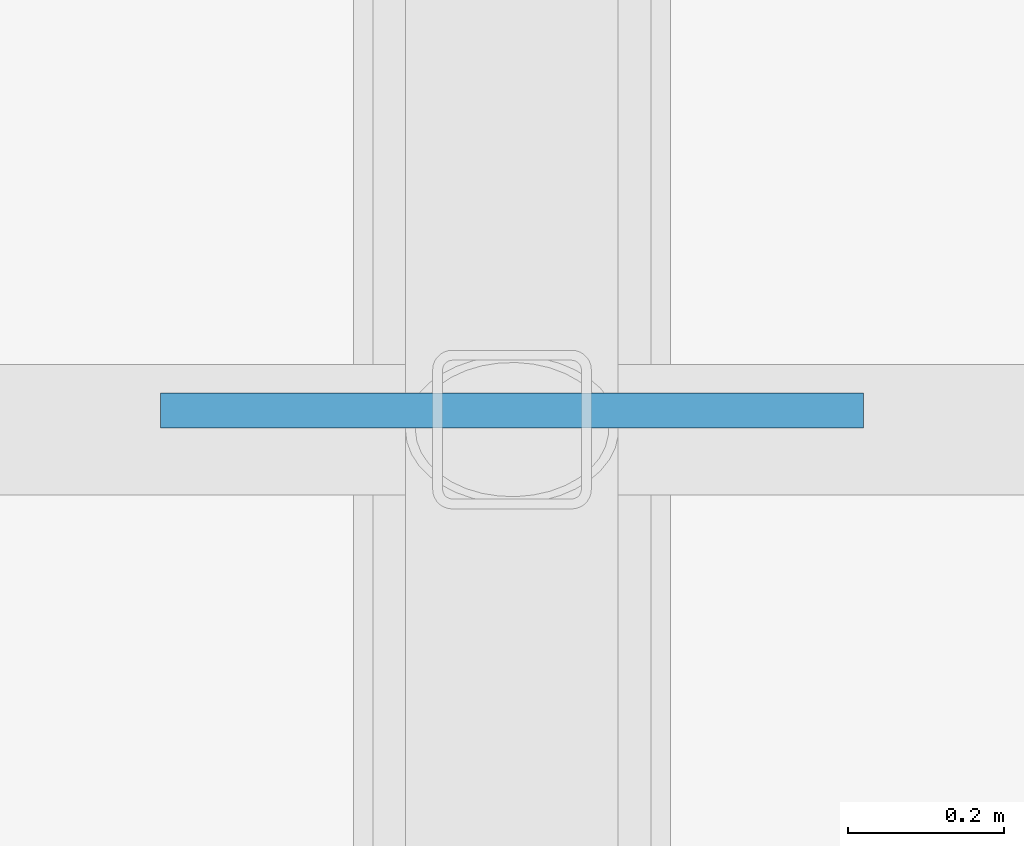
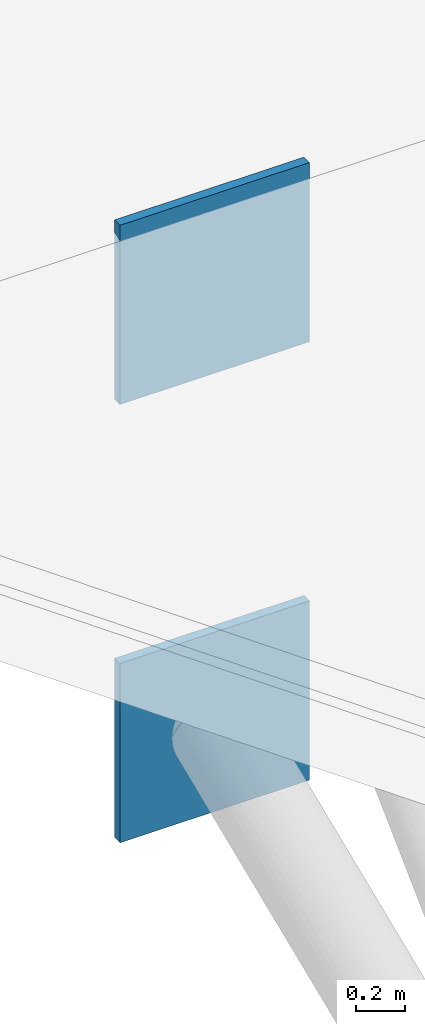
# One storey, part 65 of 98: 2 plates.
"""IFC4 building model written with IfcOpenShell, lengths in metres."""

from ifc_helpers import new_model, si_unit, direction, frame, origin, origin_2d, place, context, subcontext, project, spatial, rectangle, extrude, material, layer, layer_set, type_object, element, save


model = new_model("IFC4")

# Units and contexts
model_context = context("Model", 3, precision=1e-05, world=origin(), true_north=direction((0.0, 1.0)))
body_context = subcontext(model_context, "Body", "Model", "MODEL_VIEW")
ifc_project = project(units=[si_unit("LENGTHUNIT", "METRE"), si_unit("AREAUNIT", "SQUARE_METRE"), si_unit("VOLUMEUNIT", "CUBIC_METRE"), si_unit("PLANEANGLEUNIT", "RADIAN"), si_unit("MASSUNIT", "GRAM", prefix="KILO")], contexts=[model_context])

# Site, building, storey
site_placement = place(None, origin())
site = spatial("IfcSite", under=ifc_project, at=site_placement, CompositionType="ELEMENT")
building_placement = place(site_placement, origin())
building = spatial("IfcBuilding", under=site, at=building_placement, Name="Tlacozan Convention Centre", CompositionType="ELEMENT")
storey_placement = place(building_placement, frame((0.0, 0.0, 25.800048828125)))
storey = spatial("IfcBuildingStorey", under=building, at=storey_placement, Name="Roof", CompositionType="ELEMENT", Elevation=25.800048828125)

# Plates
ifc_material = material(Name="Steel ASTM A572 Grade 50", Category="steel")
ifc_layer = layer(ifc_material, 0.044921875)
ifc_layer_set = layer_set([ifc_layer], Name="Steel ASTM A572 Grade 50")
plate_type = type_object("IfcPlateType", Name="Arch Springing Node Gusset Plate", PredefinedType="SHEET", material=ifc_layer_set)
for number, where, z_axis, x_axis, name in (
    (1, (80.0, 70.0244140625, -7.416015625), (0.0, 0.0, 1.0), (0.0, 1.0, 0.0), "Roof Gusset Cap Plate 345"),
    (2, (80.0, 70.0244140625, -9.615966796875), (0.0, 0.0, 1.0), (0.0, 1.0, 0.0), "Roof Gusset Cap Plate 346"),
):
    element("IfcPlate", number, at=place(storey_placement, frame(where, z_axis=z_axis, x_axis=x_axis)), inside=storey, type_object=plate_type, Name=name, PredefinedType="SHEET", context=body_context, shape_type="SweptSolid", body=[
        extrude(rectangle(XDim=0.044921875, YDim=0.89990234375, at=origin_2d()), origin(), (0.0, 0.0, 1.0), 0.89990234375),
    ])

save(model, "model.ifc")
